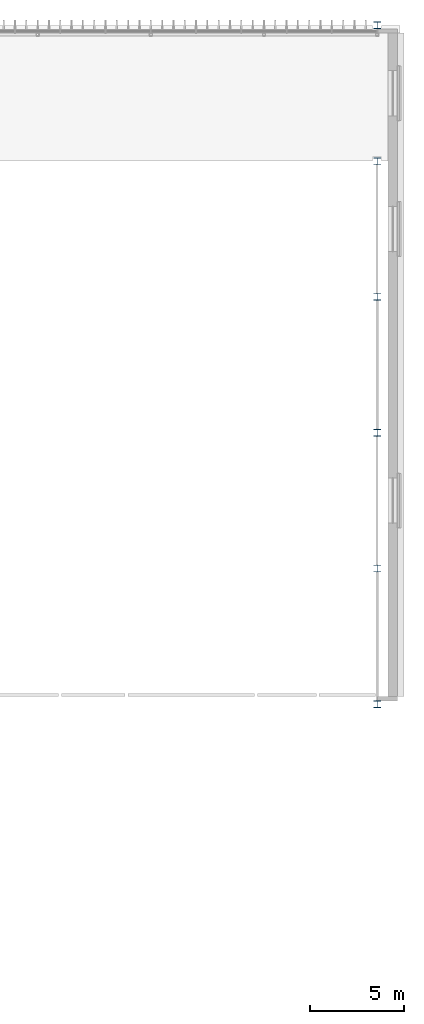
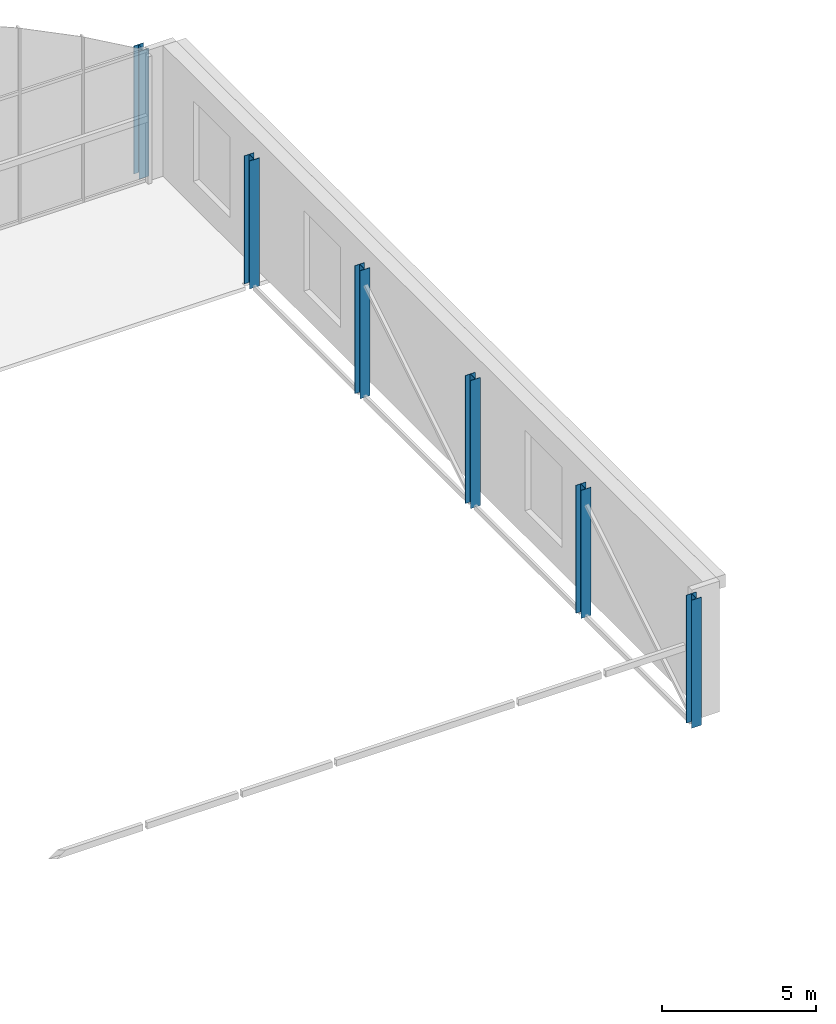
# One storey, part 13 of 93: 6 columns.
"""IFC4 building model written with IfcOpenShell, lengths in metres."""

from ifc_helpers import new_model, si_unit, direction, frame, origin, origin_2d, place, context, subcontext, project, spatial, i_section, extrude, material, material_profile, profile_set, type_object, element, save


model = new_model("IFC4")

# Units and contexts
model_context = context("Model", 3, precision=1e-05, world=origin(), true_north=direction((0.0, 1.0)))
body_context = subcontext(model_context, "Body", "Model", "MODEL_VIEW")
ifc_project = project(units=[si_unit("LENGTHUNIT", "METRE"), si_unit("AREAUNIT", "SQUARE_METRE"), si_unit("VOLUMEUNIT", "CUBIC_METRE"), si_unit("PLANEANGLEUNIT", "RADIAN"), si_unit("MASSUNIT", "GRAM", prefix="KILO")], contexts=[model_context])

# Site, building, storey
site_placement = place(None, origin())
site = spatial("IfcSite", under=ifc_project, at=site_placement, CompositionType="ELEMENT")
building_placement = place(site_placement, origin())
building = spatial("IfcBuilding", under=site, at=building_placement, Name="Verrick Yard Athletic Hall", CompositionType="ELEMENT")
storey_placement = place(building_placement, frame((0.0, 0.0, 8.800048828125)))
storey = spatial("IfcBuildingStorey", under=building, at=storey_placement, Name="L02", CompositionType="ELEMENT", Elevation=8.800048828125)

# Columns
ifc_material = material(Name="Structural steel 350W (CSA G40.21)", Category="steel")
ifc_material_profile = material_profile(ifc_material, i_section(OverallWidth=0.368896484375, OverallDepth=0.35595703125, WebThickness=0.01123046875, FlangeThickness=0.01806640625, at=origin_2d()), Name="W360x134")
ifc_profile_set = profile_set([ifc_material_profile], Name="Structural steel 350W (CSA G40.21)")
column_type = type_object("IfcColumnType", Name="HB column W360x134", PredefinedType="COLUMN", material=ifc_profile_set)
for number, where, z_axis, x_axis, name in (
    (1, (169.60009765625, 72.0, 0.0), (0.0, 0.0, 1.0), (1.0, 0.0, 0.0), "HB-C-HAE1-L02"),
    (2, (169.60009765625, 79.199951171875, 0.0), (0.0, 0.0, 1.0), (1.0, 0.0, 0.0), "HB-C-HAE2-L02"),
    (3, (169.60009765625, 86.39990234375, 0.0), (0.0, 0.0, 1.0), (1.0, 0.0, 0.0), "HB-C-HAE3-L02"),
    (4, (169.60009765625, 93.60009765625, 0.0), (0.0, 0.0, 1.0), (1.0, 0.0, 0.0), "HB-C-HAE4-L02"),
    (5, (169.60009765625, 100.800048828125, 0.0), (0.0, 0.0, 1.0), (1.0, 0.0, 0.0), "HB-C-HAE5-L02"),
    (6, (169.60009765625, 108.0, 0.0), (0.0, 0.0, 1.0), (1.0, 0.0, 0.0), "HB-C-HAE6-L02"),
):
    element("IfcColumn", number, at=place(storey_placement, frame(where, z_axis=z_axis, x_axis=x_axis)), inside=storey, type_object=column_type, Name=name, PredefinedType="COLUMN", context=body_context, shape_type="SweptSolid", body=[
        extrude(i_section(OverallWidth=0.368896484375, OverallDepth=0.35595703125, WebThickness=0.01123046875, FlangeThickness=0.01806640625, at=origin_2d()), origin(), (0.0, 0.0, 1.0), 5.089111328125),
    ])

save(model, "model.ifc")
